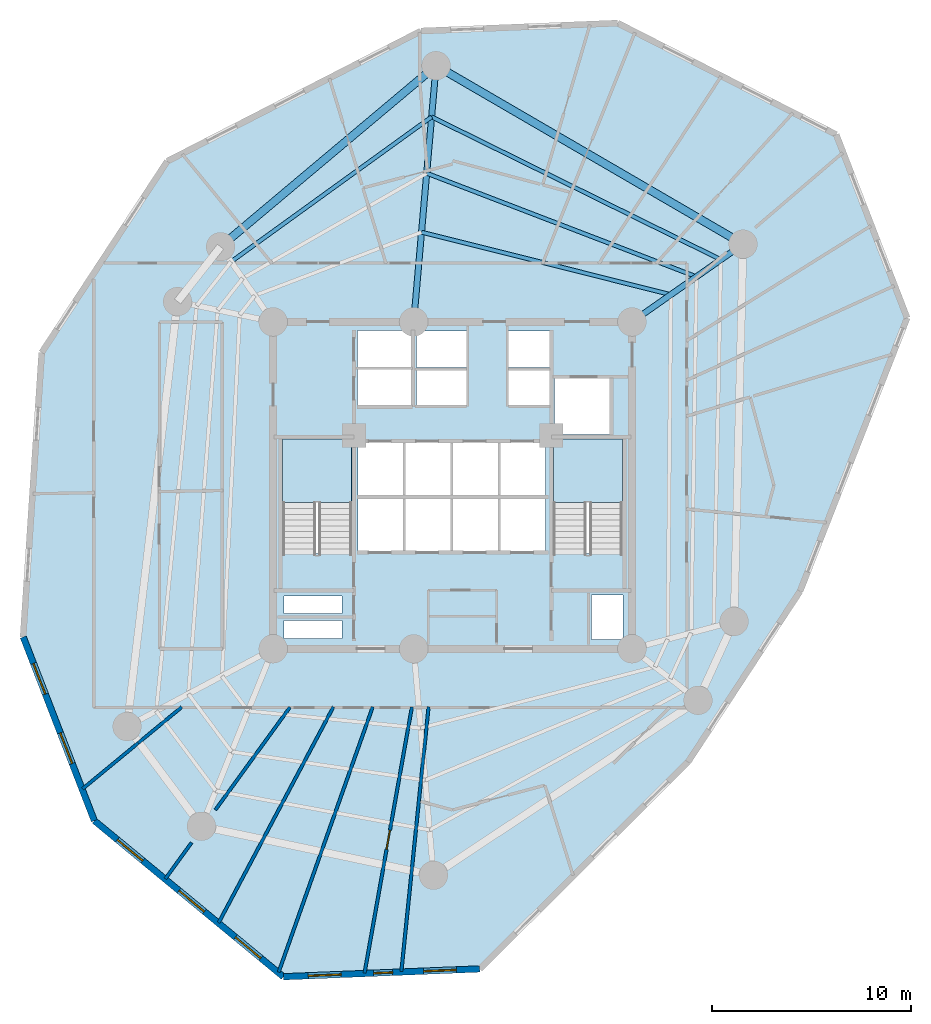
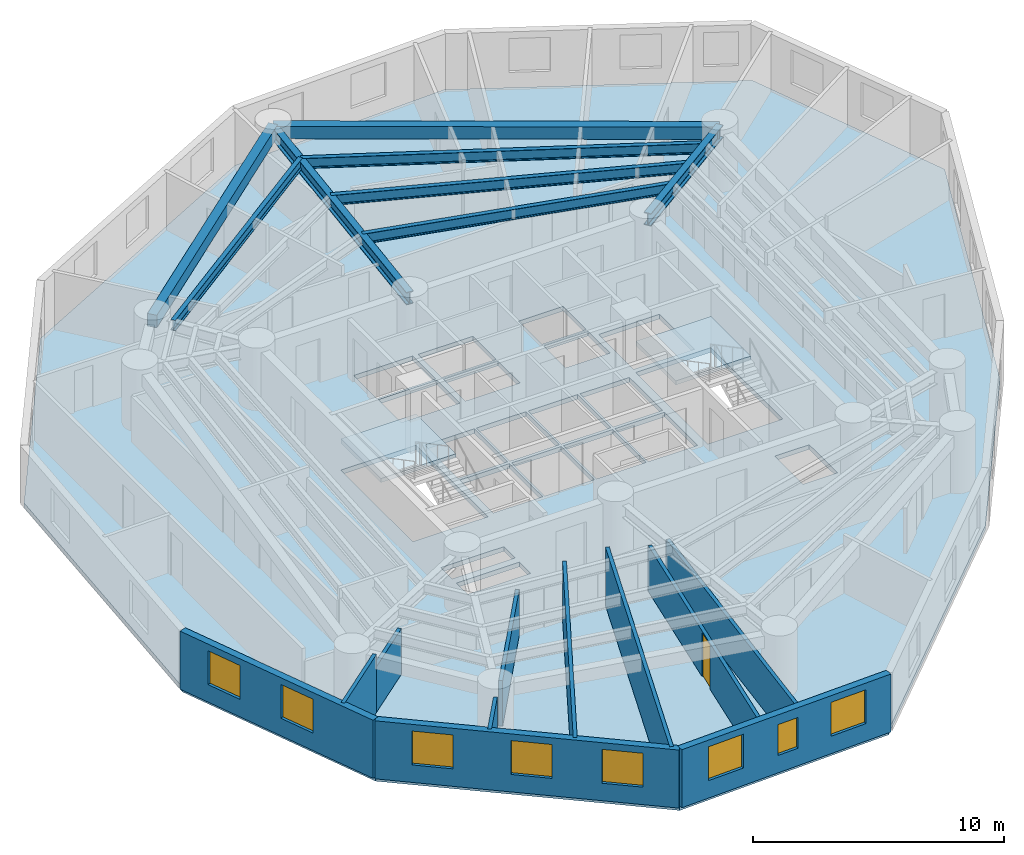
# One storey, part 2 of 8: 11 walls, 8 beams, 8 windows, 3 slabs, 1 door, 9 openings, 2 elements without a shape of their own.
"""IFC4 building model written with IfcOpenShell, lengths in metres."""

from ifc_helpers import new_model, si_unit, direction, frame, frame_2d, origin, origin_with_axes, origin_2d, place, context, subcontext, project, spatial, polyline, rectangle, i_section, outline, extrude, source, transform, mapped, material, layer, layer_set, material_profile, profile_set, type_object, element, fill, aggregate, save


model = new_model("IFC4")

# Units and contexts
model_context = context("Model", 3, precision=1e-05, world=origin(), true_north=direction((0.0, 1.0)))
body_context = subcontext(model_context, "Body", "Model", "MODEL_VIEW")
ifc_project = project(units=[si_unit("LENGTHUNIT", "METRE"), si_unit("AREAUNIT", "SQUARE_METRE"), si_unit("VOLUMEUNIT", "CUBIC_METRE"), si_unit("PLANEANGLEUNIT", "RADIAN"), si_unit("MASSUNIT", "GRAM", prefix="KILO")], contexts=[model_context])

# Site, building, storey
site_placement = place(None, origin())
site = spatial("IfcSite", under=ifc_project, at=site_placement, CompositionType="ELEMENT")
building_placement = place(site_placement, origin())
building = spatial("IfcBuilding", under=site, at=building_placement, Name="Karkom Vertical University and Central Library", CompositionType="ELEMENT")
storey_placement = place(building_placement, frame((0.0, 0.0, 105.35009765625)))
storey = spatial("IfcBuildingStorey", under=building, at=storey_placement, Name="L28", CompositionType="ELEMENT", Elevation=105.35009765625)

# Beams
ifc_material_1 = material(Name="Precast concrete C45/55", Category="concrete")
ifc_material_profile_1 = material_profile(ifc_material_1, rectangle(XDim=0.39990234375, YDim=0.60009765625, at=origin_2d()), Name="SPB-400x600")
ifc_profile_set_1 = profile_set([ifc_material_profile_1], Name="Precast concrete C45/55")
beam_type_1 = type_object("IfcBeamType", Name="STR-BM-SP-1", PredefinedType="SPANDREL", material=ifc_profile_set_1)
shared_shape_1 = source(origin_with_axes(), body_context, "Body", "SweptSolid", [
    extrude(rectangle(XDim=0.39990234375, YDim=0.60009765625, at=origin_2d()), origin(), (0.0, 0.0, 1.0), 17.808837890625),
])
beam_1_placement = place(storey_placement, frame((43.070068359375, 38.60009765625, 2.52490234375), z_axis=(-0.864512866362, 0.502610688202, 0.0), x_axis=(-0.502610688202, -0.864512866362, 0.0)))
element("IfcBeam", 1, at=beam_1_placement, inside=storey, type_object=beam_type_1, Name="Level 28 Perimeter Spandrel Beam 02", PredefinedType="SPANDREL", context=body_context, shape_type="MappedRepresentation", body=[
    mapped(shared_shape_1, transform((0.0, 0.0, 0.0), scale=1.0)),
])
shared_shape_2 = source(origin_with_axes(), body_context, "Body", "SweptSolid", [
    extrude(rectangle(XDim=0.39990234375, YDim=0.60009765625, at=origin_2d()), origin(), (0.0, 0.0, 1.0), 14.120849609375),
])
beam_2_placement = place(storey_placement, frame((27.674072265625, 47.551025390625, 2.52490234375), z_axis=(-0.765672847866, -0.643230199883, 0.0), x_axis=(0.643230199883, -0.765672847866, 0.0)))
element("IfcBeam", 2, at=beam_2_placement, inside=storey, type_object=beam_type_1, Name="Level 28 Perimeter Spandrel Beam 03", PredefinedType="SPANDREL", context=body_context, shape_type="MappedRepresentation", body=[
    mapped(shared_shape_2, transform((0.0, 0.0, 0.0), scale=1.0)),
])
ifc_material_2 = material(Name="Steel S355", Category="steel")
ifc_material_profile_2 = material_profile(ifc_material_2, i_section(OverallWidth=0.199951171875, OverallDepth=0.5, WebThickness=0.01025390625, FlangeThickness=0.01611328125, FilletRadius=0.02099609375, at=origin_2d()), Name="IPE 500")
ifc_profile_set_2 = profile_set([ifc_material_profile_2], Name="Steel S355")
beam_type_2 = type_object("IfcBeamType", Name="STR-BM-SB-IPE500", PredefinedType="BEAM", material=ifc_profile_set_2)
shared_shape_3 = source(origin_with_axes(), body_context, "Body", "SweptSolid", [
    extrude(i_section(OverallWidth=0.199951171875, OverallDepth=0.5, WebThickness=0.01025390625, FlangeThickness=0.01611328125, FilletRadius=0.02099609375, at=origin_2d()), origin(), (0.0, 0.0, 1.0), 12.892578125),
])
beam_3_placement = place(storey_placement, frame((39.449462890625, 36.06494140625, 2.574951171875), z_axis=(-0.970023194321, 0.243012350468, 0.0), x_axis=(-0.243012350468, -0.970023194321, 0.0)))
element("IfcBeam", 3, at=beam_3_placement, inside=storey, type_object=beam_type_2, Name="Level 28 Secondary Composite Floor Beam 1.02", PredefinedType="BEAM", context=body_context, shape_type="MappedRepresentation", body=[
    mapped(shared_shape_3, transform((0.0, 0.0, 0.0), scale=1.0)),
])
shared_shape_4 = source(origin_with_axes(), body_context, "Body", "SweptSolid", [
    extrude(i_section(OverallWidth=0.199951171875, OverallDepth=0.5, WebThickness=0.01025390625, FlangeThickness=0.01611328125, FilletRadius=0.02099609375, at=origin_2d()), origin(), (0.0, 0.0, 1.0), 14.49072265625),
])
beam_4_placement = place(storey_placement, frame((40.730712890625, 36.9619140625, 2.574951171875), z_axis=(-0.93361673171, 0.35827335691, 0.0), x_axis=(-0.35827335691, -0.93361673171, 0.0)))
element("IfcBeam", 4, at=beam_4_placement, inside=storey, type_object=beam_type_2, Name="Level 28 Secondary Composite Floor Beam 2.02", PredefinedType="BEAM", context=body_context, shape_type="MappedRepresentation", body=[
    mapped(shared_shape_4, transform((0.0, 0.0, 0.0), scale=1.0)),
])
shared_shape_5 = source(origin_with_axes(), body_context, "Body", "SweptSolid", [
    extrude(i_section(OverallWidth=0.199951171875, OverallDepth=0.5, WebThickness=0.01025390625, FlangeThickness=0.01611328125, FilletRadius=0.02099609375, at=origin_2d()), origin(), (0.0, 0.0, 1.0), 16.177978515625),
])
beam_5_placement = place(storey_placement, frame((41.9560546875, 37.820068359375, 2.574951171875), z_axis=(-0.896709262653, 0.442620038263, 0.0), x_axis=(-0.442620038263, -0.896709262653, 0.0)))
element("IfcBeam", 5, at=beam_5_placement, inside=storey, type_object=beam_type_2, Name="Level 28 Secondary Composite Floor Beam 3.02", PredefinedType="BEAM", context=body_context, shape_type="MappedRepresentation", body=[
    mapped(shared_shape_5, transform((0.0, 0.0, 0.0), scale=1.0)),
])
shared_shape_6 = source(origin_with_axes(), body_context, "Body", "SweptSolid", [
    extrude(i_section(OverallWidth=0.199951171875, OverallDepth=0.5, WebThickness=0.01025390625, FlangeThickness=0.01611328125, FilletRadius=0.02099609375, at=origin_2d()), origin(), (0.0, 0.0, 1.0), 12.409423828125),
])
beam_6_placement = place(storey_placement, frame((27.44921875, 44.980712890625, 2.574951171875), z_axis=(-0.810636686292, -0.585549453793, 0.0), x_axis=(0.585549453793, -0.810636686292, 0.0)))
element("IfcBeam", 6, at=beam_6_placement, inside=storey, type_object=beam_type_2, Name="Level 28 Secondary Composite Floor Beam 3.03", PredefinedType="BEAM", context=body_context, shape_type="MappedRepresentation", body=[
    mapped(shared_shape_6, transform((0.0, 0.0, 0.0), scale=1.0)),
])
ifc_material_profile_3 = material_profile(ifc_material_2, i_section(OverallWidth=0.300048828125, OverallDepth=0.60009765625, WebThickness=0.015380859375, FlangeThickness=0.030029296875, FilletRadius=0.027099609375, at=origin_2d()), Name="HE 600 B")
ifc_profile_set_3 = profile_set([ifc_material_profile_3], Name="Steel S355")
beam_type_3 = type_object("IfcBeamType", Name="STR-BM-SB-HE600", PredefinedType="USERDEFINED", material=ifc_profile_set_3)
shared_shape_7 = source(origin_with_axes(), body_context, "Body", "SweptSolid", [
    extrude(i_section(OverallWidth=0.300048828125, OverallDepth=0.60009765625, WebThickness=0.015380859375, FlangeThickness=0.030029296875, FilletRadius=0.027099609375, at=origin_2d()), origin(), (0.0, 0.0, 1.0), 6.7998046875),
])
beam_7_placement = place(storey_placement, frame((37.5, 34.699951171875, 2.52490234375), z_axis=(0.819156008334, 0.573570775066, 0.0), x_axis=(-0.573570775066, 0.819156008334, 0.0)))
element("IfcBeam", 7, at=beam_7_placement, inside=storey, type_object=beam_type_3, Name="Level 28 Radial Frame Girder 02", ObjectType="GIRDER", PredefinedType="USERDEFINED", context=body_context, shape_type="MappedRepresentation", body=[
    mapped(shared_shape_7, transform((0.0, 0.0, 0.0), scale=1.0)),
])
shared_shape_8 = source(origin_with_axes(), body_context, "Body", "SweptSolid", [
    extrude(i_section(OverallWidth=0.300048828125, OverallDepth=0.60009765625, WebThickness=0.015380859375, FlangeThickness=0.030029296875, FilletRadius=0.027099609375, at=origin_2d()), origin(), (0.0, 0.0, 1.0), 12.900146484375),
])
beam_8_placement = place(storey_placement, frame((26.550048828125, 34.699951171875, 2.52490234375), z_axis=(0.087132673751, 0.996196716098, 0.0), x_axis=(-0.996196716098, 0.087132673751, 0.0)))
element("IfcBeam", 8, at=beam_8_placement, inside=storey, type_object=beam_type_3, Name="Level 28 Radial Frame Girder 03", ObjectType="GIRDER", PredefinedType="USERDEFINED", context=body_context, shape_type="MappedRepresentation", body=[
    mapped(shared_shape_8, transform((0.0, 0.0, 0.0), scale=1.0)),
])

# Stair, slab
ifc_material_3 = material(Name="Concrete C45/55", Category="concrete")
stair_type = type_object("IfcStairType", Name="INT-STR-ST-MAIN", PredefinedType="HALF_TURN_STAIR", material=ifc_material_3)
stair_1_placement = place(storey_placement, origin())
stair_1 = element("IfcStair", 9, at=stair_1_placement, inside=storey, type_object=stair_type, Name="Level 28 Tower Protected Exit Stair ST-1", PredefinedType="HALF_TURN_STAIR")
ifc_layer_1 = layer(ifc_material_3, 0.199951171875)
ifc_layer_set_1 = layer_set([ifc_layer_1], Name="Concrete C45/55")
slab_type_1 = type_object("IfcSlabType", Name="INT-SLB-LANDING", PredefinedType="LANDING", material=ifc_layer_set_1)
slab_1_placement = place(storey_placement, frame((0.0, 0.0, 1.324951171875)))
slab_1 = element("IfcSlab", 10, at=slab_1_placement, type_object=slab_type_1, Name="ST-1 landing 1", PredefinedType="LANDING", context=body_context, shape_type="SweptSolid", body=[
    extrude(outline(polyline([(23.43994140625, 25.6298828125), (23.43994140625, 28.820068359375), (19.97998046875, 28.820068359375), (19.97998046875, 25.6298828125), (23.43994140625, 25.6298828125)])), origin(), (0.0, 0.0, 1.0), 0.199951171875),
])
aggregate(stair_1, [slab_1])

stair_2_placement = place(storey_placement, origin())
stair_2 = element("IfcStair", 11, at=stair_2_placement, inside=storey, type_object=stair_type, Name="Level 28 Tower Protected Exit Stair ST-2", PredefinedType="HALF_TURN_STAIR")
slab_2_placement = place(storey_placement, frame((0.0, 0.0, 1.324951171875)))
slab_2 = element("IfcSlab", 12, at=slab_2_placement, type_object=slab_type_1, Name="ST-2 landing 1", PredefinedType="LANDING", context=body_context, shape_type="SweptSolid", body=[
    extrude(outline(polyline([(37.02001953125, 25.6298828125), (37.02001953125, 28.820068359375), (33.56005859375, 28.820068359375), (33.56005859375, 25.6298828125), (37.02001953125, 25.6298828125)])), origin(), (0.0, 0.0, 1.0), 0.199951171875),
])
aggregate(stair_2, [slab_2])

# Slab
ifc_layer_2 = layer(ifc_material_3, 0.22509765625)
ifc_layer_set_2 = layer_set([ifc_layer_2], Name="Concrete C45/55")
slab_type_2 = type_object("IfcSlabType", Name="STR-SLB-FLR-225", PredefinedType="FLOOR", material=ifc_layer_set_2)
slab_3_placement = place(storey_placement, frame((0.0, 0.0, -0.22509765625)))
element("IfcSlab", 13, at=slab_3_placement, inside=storey, type_object=slab_type_2, Name="Level 28 Tower Structural Floor Slab", PredefinedType="FLOOR", context=body_context, shape_type="SweptSolid", body=[
    extrude(outline(polyline([(14.190185546875, 42.7509765625), (7.897705078125, 33.16455078125), (6.9638671875, 18.892578125), (10.5283203125, 9.679931640625), (20.01318359375, 1.85009765625), (29.8623046875, 2.24365234375), (40.307373046875, 12.626708984375), (45.92529296875, 21.185791015625), (51.29638671875, 34.89892578125), (47.73974609375, 44.091796875), (36.782958984375, 49.679443359375), (26.912841796875, 49.284912109375), (14.190185546875, 42.7509765625)]), holes=[polyline([(19.97998046875, 23.0849609375), (23.43994140625, 23.0849609375), (23.43994140625, 28.820068359375), (19.97998046875, 28.820068359375), (19.97998046875, 23.0849609375)]), polyline([(33.56005859375, 23.0849609375), (37.02001953125, 23.0849609375), (37.02001953125, 28.820068359375), (33.56005859375, 28.820068359375), (33.56005859375, 23.0849609375)]), polyline([(23.75, 23.199951171875), (26.030029296875, 23.199951171875), (26.030029296875, 25.85009765625), (23.75, 25.85009765625), (23.75, 23.199951171875)]), polyline([(26.1298828125, 23.199951171875), (28.409912109375, 23.199951171875), (28.409912109375, 25.85009765625), (26.1298828125, 25.85009765625), (26.1298828125, 23.199951171875)]), polyline([(28.510009765625, 23.199951171875), (30.7900390625, 23.199951171875), (30.7900390625, 25.85009765625), (28.510009765625, 25.85009765625), (28.510009765625, 23.199951171875)]), polyline([(30.889892578125, 23.199951171875), (33.169921875, 23.199951171875), (33.169921875, 25.85009765625), (30.889892578125, 25.85009765625), (30.889892578125, 23.199951171875)]), polyline([(23.75, 26.0), (26.030029296875, 26.0), (26.030029296875, 28.64990234375), (23.75, 28.64990234375), (23.75, 26.0)]), polyline([(26.1298828125, 26.0), (28.409912109375, 26.0), (28.409912109375, 28.64990234375), (26.1298828125, 28.64990234375), (26.1298828125, 26.0)]), polyline([(28.510009765625, 26.0), (30.7900390625, 26.0), (30.7900390625, 28.64990234375), (28.510009765625, 28.64990234375), (28.510009765625, 26.0)]), polyline([(30.889892578125, 26.0), (33.169921875, 26.0), (33.169921875, 28.64990234375), (30.889892578125, 28.64990234375), (30.889892578125, 26.0)]), polyline([(26.679931640625, 30.5), (29.199951171875, 30.5), (29.199951171875, 32.25), (26.679931640625, 32.25), (26.679931640625, 30.5)]), polyline([(26.679931640625, 32.39990234375), (29.199951171875, 32.39990234375), (29.199951171875, 34.25), (26.679931640625, 34.25), (26.679931640625, 32.39990234375)]), polyline([(31.300048828125, 30.5), (33.35009765625, 30.5), (33.35009765625, 32.25), (31.300048828125, 32.25), (31.300048828125, 30.5)]), polyline([(31.300048828125, 32.39990234375), (33.35009765625, 32.39990234375), (33.35009765625, 34.25), (31.300048828125, 34.25), (31.300048828125, 32.39990234375)]), polyline([(23.719970703125, 30.47998046875), (26.429931640625, 30.47998046875), (26.429931640625, 32.320068359375), (23.719970703125, 32.320068359375), (23.719970703125, 30.47998046875)]), polyline([(23.719970703125, 32.419921875), (26.429931640625, 32.419921875), (26.429931640625, 34.260009765625), (23.719970703125, 34.260009765625), (23.719970703125, 32.419921875)]), polyline([(33.60009765625, 29.050048828125), (36.39990234375, 29.050048828125), (36.39990234375, 31.85009765625), (33.60009765625, 31.85009765625), (33.60009765625, 29.050048828125)]), polyline([(20.050048828125, 18.820068359375), (22.949951171875, 18.820068359375), (22.949951171875, 19.719970703125), (20.050048828125, 19.719970703125), (20.050048828125, 18.820068359375)]), polyline([(20.050048828125, 20.06005859375), (22.949951171875, 20.06005859375), (22.949951171875, 20.9599609375), (20.050048828125, 20.9599609375), (20.050048828125, 20.06005859375)]), polyline([(35.4599609375, 18.760009765625), (37.0400390625, 18.760009765625), (37.0400390625, 21.010009765625), (35.4599609375, 21.010009765625), (35.4599609375, 18.760009765625)])]), origin(), (0.0, 0.0, 1.0), 0.22509765625),
])

# Wall, openings, windows
ifc_material_4 = material(Name="Brick-faced precast concrete C45/55", Category="masonry")
ifc_layer_3 = layer(ifc_material_4, 0.320068359375)
ifc_layer_set_3 = layer_set([ifc_layer_3], Name="Brick-faced precast concrete C45/55")
wall_type_1 = type_object("IfcWallType", Name="ENV-WL-BRK-320", PredefinedType="SOLIDWALL", material=ifc_layer_set_3)
wall_1_placement = place(storey_placement, frame((6.9638671875, 18.892578125, 0.0), z_axis=(0.0, 0.0, 1.0), x_axis=(0.36084155701, -0.932627133819, 0.0)))
wall_1 = element("IfcWall", 14, at=wall_1_placement, inside=storey, type_object=wall_type_1, Name="Level 28 Brick-Faced Precast Facade Wall 03", PredefinedType="SOLIDWALL", context=body_context, shape_type="SweptSolid", body=[
    extrude(rectangle(XDim=9.878173828125, YDim=0.320068359375, at=frame_2d((4.93896484375, 0.0))), origin(), (0.0, 0.0, 1.0), 2.824951171875),
])
opening_1_placement = place(wall_1_placement, frame((1.421630859375, 0.0, 0.85009765625)))
opening_1 = element("IfcOpeningElement", 15, at=opening_1_placement, cuts=wall_1, Name="Opening WN-06", PredefinedType="OPENING", context=body_context, shape_type="SweptSolid", body=[
    extrude(rectangle(XDim=1.64990234375, YDim=1.64990234375, at=frame_2d((0.824951171875, 0.824951171875))), frame((0.0, 0.169921875, 0.0), z_axis=(0.0, -1.0, 0.0), x_axis=(1.0, 0.0, 0.0)), (0.0, 0.0, 1.0), 0.340087890625),
])
opening_2_placement = place(wall_1_placement, frame((5.15478515625, 0.0, 0.85009765625)))
opening_2 = element("IfcOpeningElement", 16, at=opening_2_placement, cuts=wall_1, Name="Opening WN-06", PredefinedType="OPENING", context=body_context, shape_type="SweptSolid", body=[
    extrude(rectangle(XDim=1.64990234375, YDim=1.64990234375, at=frame_2d((0.824951171875, 0.824951171875))), frame((0.0, 0.169921875, 0.0), z_axis=(0.0, -1.0, 0.0), x_axis=(1.0, 0.0, 0.0)), (0.0, 0.0, 1.0), 0.340087890625),
])
ifc_material_5 = material(Name="Aluminium thermal-break frame with solar-control IGU", Category="aluminium")
window_type_1 = type_object("IfcWindowType", Name="ENV-WIN-WN-06", PartitioningType="SINGLE_PANEL", PredefinedType="WINDOW", material=ifc_material_5)
shared_shape_9 = source(origin_with_axes(), body_context, "Body", "SweptSolid", [
    extrude(rectangle(XDim=1.64990234375, YDim=1.64990234375, at=frame_2d((0.824951171875, 0.824951171875))), frame((0.0, 0.030029296875, 0.0), z_axis=(0.0, -1.0, 0.0), x_axis=(1.0, 0.0, 0.0)), (0.0, 0.0, 1.0), 0.06005859375),
])
window_1_placement = place(opening_1_placement, origin())
window_1 = element("IfcWindow", 17, at=window_1_placement, inside=storey, type_object=window_type_1, Name="Level 28 Punched Window 3.1", OverallHeight=1.64990234375, OverallWidth=1.64990234375, PartitioningType="SINGLE_PANEL", PredefinedType="WINDOW", context=body_context, shape_type="MappedRepresentation", body=[
    mapped(shared_shape_9, transform((0.0, 0.0, 0.0), scale=1.0)),
])
fill(opening_1, window_1)
window_2_placement = place(opening_2_placement, origin())
window_2 = element("IfcWindow", 18, at=window_2_placement, inside=storey, type_object=window_type_1, Name="Level 28 Punched Window 3.2", OverallHeight=1.64990234375, OverallWidth=1.64990234375, PartitioningType="SINGLE_PANEL", PredefinedType="WINDOW", context=body_context, shape_type="MappedRepresentation", body=[
    mapped(shared_shape_9, transform((0.0, 0.0, 0.0), scale=1.0)),
])
fill(opening_2, window_2)

wall_2_placement = place(storey_placement, frame((10.5283203125, 9.679931640625, 0.0), z_axis=(0.0, 0.0, 1.0), x_axis=(0.771180794378, -0.636616197078, 0.0)))
wall_2 = element("IfcWall", 19, at=wall_2_placement, inside=storey, type_object=wall_type_1, Name="Level 28 Brick-Faced Precast Facade Wall 04", PredefinedType="SOLIDWALL", context=body_context, shape_type="SweptSolid", body=[
    extrude(rectangle(XDim=12.299072265625, YDim=0.320068359375, at=frame_2d((6.1494140625, 0.0))), origin(), (0.0, 0.0, 1.0), 2.824951171875),
])
opening_3_placement = place(wall_2_placement, frame((1.506103515625, 0.0, 0.85009765625)))
opening_3 = element("IfcOpeningElement", 20, at=opening_3_placement, cuts=wall_2, Name="Opening WN-06", PredefinedType="OPENING", context=body_context, shape_type="SweptSolid", body=[
    extrude(rectangle(XDim=1.64990234375, YDim=1.64990234375, at=frame_2d((0.824951171875, 0.824951171875))), frame((0.0, 0.169921875, 0.0), z_axis=(0.0, -1.0, 0.0), x_axis=(1.0, 0.0, 0.0)), (0.0, 0.0, 1.0), 0.340087890625),
])
opening_4_placement = place(wall_2_placement, frame((5.50732421875, 0.0, 0.85009765625)))
opening_4 = element("IfcOpeningElement", 21, at=opening_4_placement, cuts=wall_2, Name="Opening WN-06", PredefinedType="OPENING", context=body_context, shape_type="SweptSolid", body=[
    extrude(rectangle(XDim=1.64990234375, YDim=1.64990234375, at=frame_2d((0.824951171875, 0.824951171875))), frame((0.0, 0.169921875, 0.0), z_axis=(0.0, -1.0, 0.0), x_axis=(1.0, 0.0, 0.0)), (0.0, 0.0, 1.0), 0.340087890625),
])
opening_5_placement = place(wall_2_placement, frame((9.184814453125, 0.0, 0.85009765625)))
opening_5 = element("IfcOpeningElement", 22, at=opening_5_placement, cuts=wall_2, Name="Opening WN-06", PredefinedType="OPENING", context=body_context, shape_type="SweptSolid", body=[
    extrude(rectangle(XDim=1.64990234375, YDim=1.64990234375, at=frame_2d((0.824951171875, 0.824951171875))), frame((0.0, 0.169921875, 0.0), z_axis=(0.0, -1.0, 0.0), x_axis=(1.0, 0.0, 0.0)), (0.0, 0.0, 1.0), 0.340087890625),
])
window_3_placement = place(opening_3_placement, origin())
window_3 = element("IfcWindow", 23, at=window_3_placement, inside=storey, type_object=window_type_1, Name="Level 28 Punched Window 4.1", OverallHeight=1.64990234375, OverallWidth=1.64990234375, PartitioningType="SINGLE_PANEL", PredefinedType="WINDOW", context=body_context, shape_type="MappedRepresentation", body=[
    mapped(shared_shape_9, transform((0.0, 0.0, 0.0), scale=1.0)),
])
fill(opening_3, window_3)
window_4_placement = place(opening_4_placement, origin())
window_4 = element("IfcWindow", 24, at=window_4_placement, inside=storey, type_object=window_type_1, Name="Level 28 Punched Window 4.2", OverallHeight=1.64990234375, OverallWidth=1.64990234375, PartitioningType="SINGLE_PANEL", PredefinedType="WINDOW", context=body_context, shape_type="MappedRepresentation", body=[
    mapped(shared_shape_9, transform((0.0, 0.0, 0.0), scale=1.0)),
])
fill(opening_4, window_4)
window_5_placement = place(opening_5_placement, origin())
window_5 = element("IfcWindow", 25, at=window_5_placement, inside=storey, type_object=window_type_1, Name="Level 28 Punched Window 4.3", OverallHeight=1.64990234375, OverallWidth=1.64990234375, PartitioningType="SINGLE_PANEL", PredefinedType="WINDOW", context=body_context, shape_type="MappedRepresentation", body=[
    mapped(shared_shape_9, transform((0.0, 0.0, 0.0), scale=1.0)),
])
fill(opening_5, window_5)

wall_3_placement = place(storey_placement, frame((20.01318359375, 1.85009765625, 0.0), z_axis=(0.0, 0.0, 1.0), x_axis=(0.999202619629, 0.039926494047, 0.0)))
wall_3 = element("IfcWall", 26, at=wall_3_placement, inside=storey, type_object=wall_type_1, Name="Level 28 Brick-Faced Precast Facade Wall 05", PredefinedType="SOLIDWALL", context=body_context, shape_type="SweptSolid", body=[
    extrude(rectangle(XDim=9.85693359375, YDim=0.320068359375, at=frame_2d((4.928466796875, 0.0))), origin(), (0.0, 0.0, 1.0), 2.824951171875),
])
opening_6_placement = place(wall_3_placement, frame((1.2470703125, 0.0, 0.85009765625)))
opening_6 = element("IfcOpeningElement", 27, at=opening_6_placement, cuts=wall_3, Name="Opening WN-06", PredefinedType="OPENING", context=body_context, shape_type="SweptSolid", body=[
    extrude(rectangle(XDim=1.64990234375, YDim=1.64990234375, at=frame_2d((0.824951171875, 0.824951171875))), frame((0.0, 0.169921875, 0.0), z_axis=(0.0, -1.0, 0.0), x_axis=(1.0, 0.0, 0.0)), (0.0, 0.0, 1.0), 0.340087890625),
])
opening_7_placement = place(wall_3_placement, frame((4.53125, 0.0, 0.85009765625)))
opening_7 = element("IfcOpeningElement", 28, at=opening_7_placement, cuts=wall_3, Name="Opening WN-12", PredefinedType="OPENING", context=body_context, shape_type="SweptSolid", body=[
    extrude(rectangle(XDim=0.949951171875, YDim=1.5, at=frame_2d((0.47509765625, 0.75))), frame((0.0, 0.169921875, 0.0), z_axis=(0.0, -1.0, 0.0), x_axis=(1.0, 0.0, 0.0)), (0.0, 0.0, 1.0), 0.340087890625),
])
opening_8_placement = place(wall_3_placement, frame((7.03759765625, 0.0, 0.85009765625)))
opening_8 = element("IfcOpeningElement", 29, at=opening_8_placement, cuts=wall_3, Name="Opening WN-06", PredefinedType="OPENING", context=body_context, shape_type="SweptSolid", body=[
    extrude(rectangle(XDim=1.64990234375, YDim=1.64990234375, at=frame_2d((0.824951171875, 0.824951171875))), frame((0.0, 0.169921875, 0.0), z_axis=(0.0, -1.0, 0.0), x_axis=(1.0, 0.0, 0.0)), (0.0, 0.0, 1.0), 0.340087890625),
])
window_6_placement = place(opening_6_placement, origin())
window_6 = element("IfcWindow", 30, at=window_6_placement, inside=storey, type_object=window_type_1, Name="Level 28 Punched Window 5.1", OverallHeight=1.64990234375, OverallWidth=1.64990234375, PartitioningType="SINGLE_PANEL", PredefinedType="WINDOW", context=body_context, shape_type="MappedRepresentation", body=[
    mapped(shared_shape_9, transform((0.0, 0.0, 0.0), scale=1.0)),
])
fill(opening_6, window_6)
window_7_placement = place(opening_8_placement, origin())
window_7 = element("IfcWindow", 31, at=window_7_placement, inside=storey, type_object=window_type_1, Name="Level 28 Punched Window 5.3", OverallHeight=1.64990234375, OverallWidth=1.64990234375, PartitioningType="SINGLE_PANEL", PredefinedType="WINDOW", context=body_context, shape_type="MappedRepresentation", body=[
    mapped(shared_shape_9, transform((0.0, 0.0, 0.0), scale=1.0)),
])
fill(opening_8, window_7)
window_type_2 = type_object("IfcWindowType", Name="ENV-WIN-WN-12", PartitioningType="SINGLE_PANEL", PredefinedType="WINDOW", material=ifc_material_5)
shared_shape_10 = source(origin_with_axes(), body_context, "Body", "SweptSolid", [
    extrude(rectangle(XDim=0.949951171875, YDim=1.5, at=frame_2d((0.47509765625, 0.75))), frame((0.0, 0.030029296875, 0.0), z_axis=(0.0, -1.0, 0.0), x_axis=(1.0, 0.0, 0.0)), (0.0, 0.0, 1.0), 0.06005859375),
])
window_8_placement = place(opening_7_placement, origin())
window_8 = element("IfcWindow", 32, at=window_8_placement, inside=storey, type_object=window_type_2, Name="Level 28 Punched Window 5.2", OverallHeight=1.5, OverallWidth=0.949951171875, PartitioningType="SINGLE_PANEL", PredefinedType="WINDOW", context=body_context, shape_type="MappedRepresentation", body=[
    mapped(shared_shape_10, transform((0.0, 0.0, 0.0), scale=1.0)),
])
fill(opening_7, window_8)

# Wall
ifc_material_6 = material(Name="Insulated metal-stud drywall 160mm", Category="gypsum")
ifc_layer_4 = layer(ifc_material_6, 0.159912109375)
ifc_layer_set_4 = layer_set([ifc_layer_4], Name="Insulated metal-stud drywall 160mm")
wall_type_2 = type_object("IfcWallType", Name="INT-WL-COR-160", PredefinedType="PARTITIONING", material=ifc_layer_set_4)
wall_4_placement = place(storey_placement, frame((24.497314453125, 15.392333984375, 0.0), z_axis=(0.0, 0.0, 1.0), x_axis=(-0.334244901662, -0.942486257572, 0.0)))
element("IfcWall", 33, at=wall_4_placement, inside=storey, type_object=wall_type_2, Name="Level 28 Interior Partition Wall L28-PW-008", PredefinedType="PARTITIONING", context=body_context, shape_type="SweptSolid", body=[
    extrude(rectangle(XDim=14.1220703125, YDim=0.159912109375, at=frame_2d((7.06103515625, 0.0))), origin(), (0.0, 0.0, 1.0), 2.824951171875),
])

# Wall, opening, door
wall_5_placement = place(storey_placement, frame((26.4599609375, 15.37939453125, 0.0), z_axis=(0.0, 0.0, 1.0), x_axis=(-0.175226234802, -0.984528194943, 0.0)))
wall_5 = element("IfcWall", 34, at=wall_5_placement, inside=storey, type_object=wall_type_2, Name="Level 28 Interior Partition Wall L28-PW-009", PredefinedType="PARTITIONING", context=body_context, shape_type="SweptSolid", body=[
    extrude(rectangle(XDim=13.5498046875, YDim=0.159912109375, at=frame_2d((6.77490234375, 0.0))), origin(), (0.0, 0.0, 1.0), 2.224853515625),
])
opening_9_placement = place(wall_5_placement, frame((6.282470703125, 0.0, 0.0)))
opening_9 = element("IfcOpeningElement", 35, at=opening_9_placement, cuts=wall_5, Name="Opening FD-RM2", PredefinedType="OPENING", context=body_context, shape_type="SweptSolid", body=[
    extrude(rectangle(XDim=0.9599609375, YDim=2.14990234375, at=frame_2d((0.47998046875, 1.074951171875))), frame((0.0, 0.08984375, 0.0), z_axis=(0.0, -1.0, 0.0), x_axis=(1.0, 0.0, 0.0)), (0.0, 0.0, 1.0), 0.179931640625),
])
ifc_material_7 = material(Name="Fire-rated oak veneer door", Category="wood")
door_type = type_object("IfcDoorType", Name="INT-DR-FRM2", OperationType="NOTDEFINED", PredefinedType="DOOR", material=ifc_material_7)
shared_shape_11 = source(origin_with_axes(), body_context, "Body", "SweptSolid", [
    extrude(rectangle(XDim=0.9599609375, YDim=2.14990234375, at=frame_2d((0.47998046875, 1.074951171875))), frame((0.0, 0.02490234375, 0.0), z_axis=(0.0, -1.0, 0.0), x_axis=(1.0, 0.0, 0.0)), (0.0, 0.0, 1.0), 0.050048828125),
])
door_placement = place(opening_9_placement, origin())
door = element("IfcDoor", 36, at=door_placement, inside=storey, type_object=door_type, Name="Level 28 Room Entry Door 060", OperationType="SINGLE_SWING_LEFT", OverallHeight=2.14990234375, OverallWidth=0.9599609375, PredefinedType="DOOR", context=body_context, shape_type="MappedRepresentation", body=[
    mapped(shared_shape_11, transform((0.0, 0.0, 0.0), scale=1.0)),
])
fill(opening_9, door)

# Walls
wall_6_placement = place(storey_placement, frame((27.29736328125, 15.394775390625, 0.0), z_axis=(0.0, 0.0, 1.0), x_axis=(-0.102334594385, -0.994750034326, 0.0)))
element("IfcWall", 37, at=wall_6_placement, inside=storey, type_object=wall_type_2, Name="Level 28 Interior Partition Wall L28-PW-010", PredefinedType="PARTITIONING", context=body_context, shape_type="SweptSolid", body=[
    extrude(rectangle(XDim=13.352783203125, YDim=0.159912109375, at=frame_2d((6.67626953125, 0.0))), origin(), (0.0, 0.0, 1.0), 2.224853515625),
])
wall_7_placement = place(storey_placement, frame((22.524658203125, 15.3896484375, 0.0), z_axis=(0.0, 0.0, 1.0), x_axis=(-0.469484190542, -0.882940878446, 0.0)))
element("IfcWall", 38, at=wall_7_placement, inside=storey, type_object=wall_type_2, Name="Level 28 Interior Partition Wall L28-PW-007", PredefinedType="PARTITIONING", context=body_context, shape_type="SweptSolid", body=[
    extrude(rectangle(XDim=12.261962890625, YDim=0.159912109375, at=frame_2d((6.130859375, 0.0))), origin(), (0.0, 0.0, 1.0), 2.824951171875),
])
wall_8_placement = place(storey_placement, frame((20.345703125, 15.374267578125, 0.0), z_axis=(0.0, 0.0, 1.0), x_axis=(-0.587642992442, -0.809120333099, 0.0)))
element("IfcWall", 39, at=wall_8_placement, inside=storey, type_object=wall_type_2, Name="Level 28 Interior Partition Wall L28-PW-005", PredefinedType="PARTITIONING", context=body_context, shape_type="SweptSolid", body=[
    extrude(rectangle(XDim=6.371337890625, YDim=0.159912109375, at=frame_2d((3.185546875, 0.0))), origin(), (0.0, 0.0, 1.0), 2.224853515625),
])
wall_9_placement = place(storey_placement, frame((12.739013671875, 13.5830078125, 0.0), z_axis=(0.0, 0.0, 1.0), x_axis=(-0.77155501954, -0.636162598572, 0.0)))
element("IfcWall", 40, at=wall_9_placement, inside=storey, type_object=wall_type_2, Name="Level 28 Interior Partition Wall L28-PW-003", PredefinedType="PARTITIONING", context=body_context, shape_type="SweptSolid", body=[
    extrude(rectangle(XDim=3.626220703125, YDim=0.159912109375, at=frame_2d((1.81298828125, 0.0))), origin(), (0.0, 0.0, 1.0), 2.824951171875),
])
wall_10_placement = place(storey_placement, frame((14.916748046875, 15.378662109375, 0.0), z_axis=(0.0, 0.0, 1.0), x_axis=(-0.771567698741, -0.636147220587, 0.0)))
element("IfcWall", 41, at=wall_10_placement, inside=storey, type_object=wall_type_2, Name="Level 28 Interior Partition Wall L28-PW-002", PredefinedType="PARTITIONING", context=body_context, shape_type="SweptSolid", body=[
    extrude(rectangle(XDim=2.819580078125, YDim=0.159912109375, at=frame_2d((1.40966796875, 0.0))), origin(), (0.0, 0.0, 1.0), 2.224853515625),
])
wall_11_placement = place(storey_placement, frame((15.410400390625, 8.5791015625, 0.0), z_axis=(0.0, 0.0, 1.0), x_axis=(-0.587607293025, -0.809146259451, 0.0)))
element("IfcWall", 42, at=wall_11_placement, inside=storey, type_object=wall_type_2, Name="Level 28 Interior Partition Wall L28-PW-006", PredefinedType="PARTITIONING", context=body_context, shape_type="SweptSolid", body=[
    extrude(rectangle(XDim=2.23828125, YDim=0.159912109375, at=frame_2d((1.119140625, 0.0))), origin(), (0.0, 0.0, 1.0), 2.824951171875),
])

save(model, "model.ifc")
